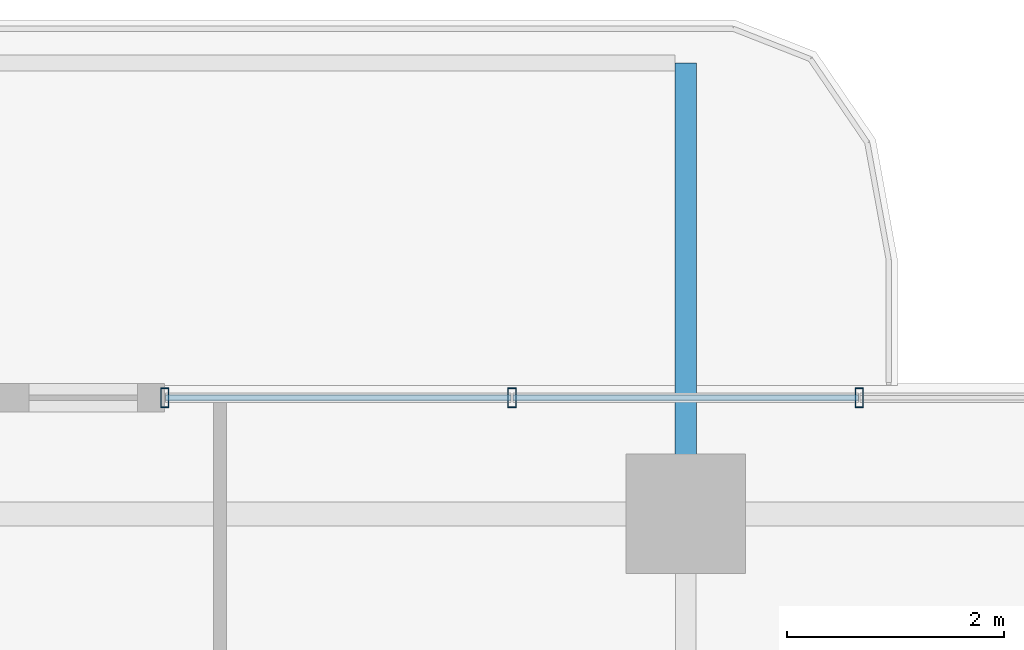
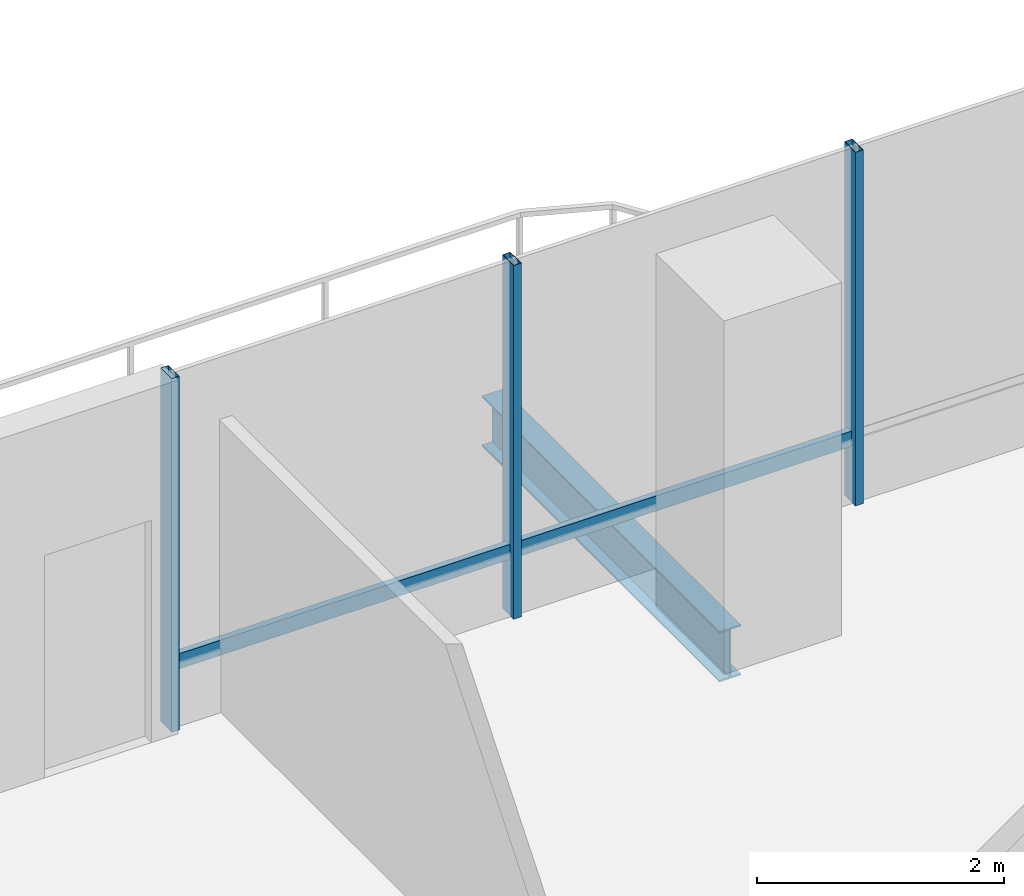
# One storey, part 11 of 24: 5 members, 1 beam, 1 element without a shape of its own.
"""IFC4 building model written with IfcOpenShell, lengths in metres."""

from ifc_helpers import new_model, si_unit, direction, frame, origin, origin_2d, place, context, subcontext, project, spatial, hollow_rectangle, i_section, extrude, material, layer, layer_set, material_profile, profile_set, type_object, element, aggregate, save


model = new_model("IFC4")

# Units and contexts
model_context = context("Model", 3, precision=1e-05, world=origin(), true_north=direction((0.0, 1.0)))
body_context = subcontext(model_context, "Body", "Model", "MODEL_VIEW")
ifc_project = project(units=[si_unit("LENGTHUNIT", "METRE"), si_unit("AREAUNIT", "SQUARE_METRE"), si_unit("VOLUMEUNIT", "CUBIC_METRE"), si_unit("PLANEANGLEUNIT", "RADIAN"), si_unit("MASSUNIT", "GRAM", prefix="KILO")], contexts=[model_context])

# Site, building, storey
site_placement = place(None, origin())
site = spatial("IfcSite", under=ifc_project, at=site_placement, CompositionType="ELEMENT")
building_placement = place(site_placement, origin())
building = spatial("IfcBuilding", under=site, at=building_placement, Name="Belovzor Exchange Tower", CompositionType="ELEMENT")
storey_placement = place(building_placement, frame((0.0, 0.0, 203.699951171875)))
storey = spatial("IfcBuildingStorey", under=building, at=storey_placement, Name="L50", CompositionType="ELEMENT", Elevation=203.699951171875)

# Beam
ifc_material_1 = material(Name="Steel S355", Category="steel")
ifc_material_profile_1 = material_profile(ifc_material_1, i_section(OverallWidth=0.199951171875, OverallDepth=0.5, WebThickness=0.01025390625, FlangeThickness=0.01611328125, at=origin_2d()))
ifc_profile_set_1 = profile_set([ifc_material_profile_1], Name="Steel S355")
beam_type = type_object("IfcBeamType", Name="Planted Balcony Cantilever Beam IPE 500", PredefinedType="BEAM", material=ifc_profile_set_1)
beam_placement = place(storey_placement, frame((28.800048828125, 54.903076171875, -0.5), z_axis=(0.0, 1.0, 0.0), x_axis=(-1.0, 0.0, 0.0)))
element("IfcBeam", 1, at=beam_placement, inside=storey, type_object=beam_type, Name="BC-500 Planted Balcony Cantilever Beam IPE 500", PredefinedType="BEAM", context=body_context, shape_type="SweptSolid", body=[
    extrude(i_section(OverallWidth=0.199951171875, OverallDepth=0.5, WebThickness=0.01025390625, FlangeThickness=0.01611328125, at=origin_2d()), origin(), (0.0, 0.0, 1.0), 3.849853515625),
])

# Curtain wall, members
ifc_material_2 = material(Name="Anodised Aluminium Framing", Category="aluminium")
ifc_layer = layer(ifc_material_2, 0.179931640625)
ifc_layer_set = layer_set([ifc_layer], Name="Anodised Aluminium Framing")
curtain_wall_type = type_object("IfcCurtainWallType", Name="Recessed Loggia Low-Iron Triple-Glazed Curtain Wall", PredefinedType="NOTDEFINED", material=ifc_layer_set)
curtain_wall_placement = place(storey_placement, origin())
curtain_wall = element("IfcCurtainWall", 2, at=curtain_wall_placement, inside=storey, type_object=curtain_wall_type, Name="CW3 Recessed Loggia Low-Iron Triple-Glazed Curtain Wall L50", PredefinedType="NOTDEFINED")
ifc_material_3 = material(Name="Steel S355", Category="steel")
ifc_material_profile_2 = material_profile(ifc_material_3, hollow_rectangle(XDim=0.074951171875, YDim=0.179931640625, WallThickness=0.0048828125, at=origin_2d()))
ifc_profile_set_2 = profile_set([ifc_material_profile_2], Name="Steel S355")
member_type_1 = type_object("IfcMemberType", Name="Thermally Broken Curtain Wall Mullion 180x75", PredefinedType="MULLION", material=ifc_profile_set_2)
member_1_placement = place(storey_placement, frame((24.0, 55.669921875, 0.0), z_axis=(0.0, 0.0, 1.0), x_axis=(1.0, 0.0, 0.0)))
member_1 = element("IfcMember", 3, at=member_1_placement, type_object=member_type_1, Name="CW-M180 Curtain Wall Mullion 1", PredefinedType="MULLION", context=body_context, shape_type="SweptSolid", body=[
    extrude(hollow_rectangle(XDim=0.074951171875, YDim=0.179931640625, WallThickness=0.0048828125, at=origin_2d()), origin(), (0.0, 0.0, 1.0), 3.5),
])
member_2_placement = place(storey_placement, frame((27.199951171875, 55.669921875, 0.0), z_axis=(0.0, 0.0, 1.0), x_axis=(1.0, 0.0, 0.0)))
member_2 = element("IfcMember", 4, at=member_2_placement, type_object=member_type_1, Name="CW-M180 Curtain Wall Mullion 2", PredefinedType="MULLION", context=body_context, shape_type="SweptSolid", body=[
    extrude(hollow_rectangle(XDim=0.074951171875, YDim=0.179931640625, WallThickness=0.0048828125, at=origin_2d()), origin(), (0.0, 0.0, 1.0), 3.5),
])
member_3_placement = place(storey_placement, frame((30.39990234375, 55.669921875, 0.0), z_axis=(0.0, 0.0, 1.0), x_axis=(1.0, 0.0, 0.0)))
member_3 = element("IfcMember", 5, at=member_3_placement, type_object=member_type_1, Name="CW-M180 Curtain Wall Mullion 3", PredefinedType="MULLION", context=body_context, shape_type="SweptSolid", body=[
    extrude(hollow_rectangle(XDim=0.074951171875, YDim=0.179931640625, WallThickness=0.0048828125, at=origin_2d()), origin(), (0.0, 0.0, 1.0), 3.5),
])
ifc_material_4 = material(Name="Steel S355", Category="steel")
ifc_material_profile_3 = material_profile(ifc_material_4, hollow_rectangle(XDim=0.06005859375, YDim=0.14990234375, WallThickness=0.00390625, at=origin_2d()))
ifc_profile_set_3 = profile_set([ifc_material_profile_3], Name="Steel S355")
member_type_2 = type_object("IfcMemberType", Name="Thermally Broken Curtain Wall Transom 150x60", PredefinedType="USERDEFINED", material=ifc_profile_set_3)
member_4_placement = place(storey_placement, frame((24.008056640625, 55.669921875, 0.630126953125), z_axis=(1.0, 0.0, 0.0), x_axis=(0.0, 1.0, 0.0)))
member_4 = element("IfcMember", 6, at=member_4_placement, type_object=member_type_2, Name="CW-T150 Curtain Wall Transom 1", ObjectType="TRANSOM", PredefinedType="USERDEFINED", context=body_context, shape_type="SweptSolid", body=[
    extrude(hollow_rectangle(XDim=0.06005859375, YDim=0.14990234375, WallThickness=0.00390625, at=origin_2d()), origin(), (0.0, 0.0, 1.0), 3.183837890625),
])
member_5_placement = place(storey_placement, frame((27.2080078125, 55.669921875, 0.630126953125), z_axis=(1.0, 0.0, 0.0), x_axis=(0.0, 1.0, 0.0)))
member_5 = element("IfcMember", 7, at=member_5_placement, type_object=member_type_2, Name="CW-T150 Curtain Wall Transom 2", ObjectType="TRANSOM", PredefinedType="USERDEFINED", context=body_context, shape_type="SweptSolid", body=[
    extrude(hollow_rectangle(XDim=0.06005859375, YDim=0.14990234375, WallThickness=0.00390625, at=origin_2d()), origin(), (0.0, 0.0, 1.0), 3.18408203125),
])
aggregate(curtain_wall, [member_1, member_2, member_3, member_4, member_5])

save(model, "model.ifc")
